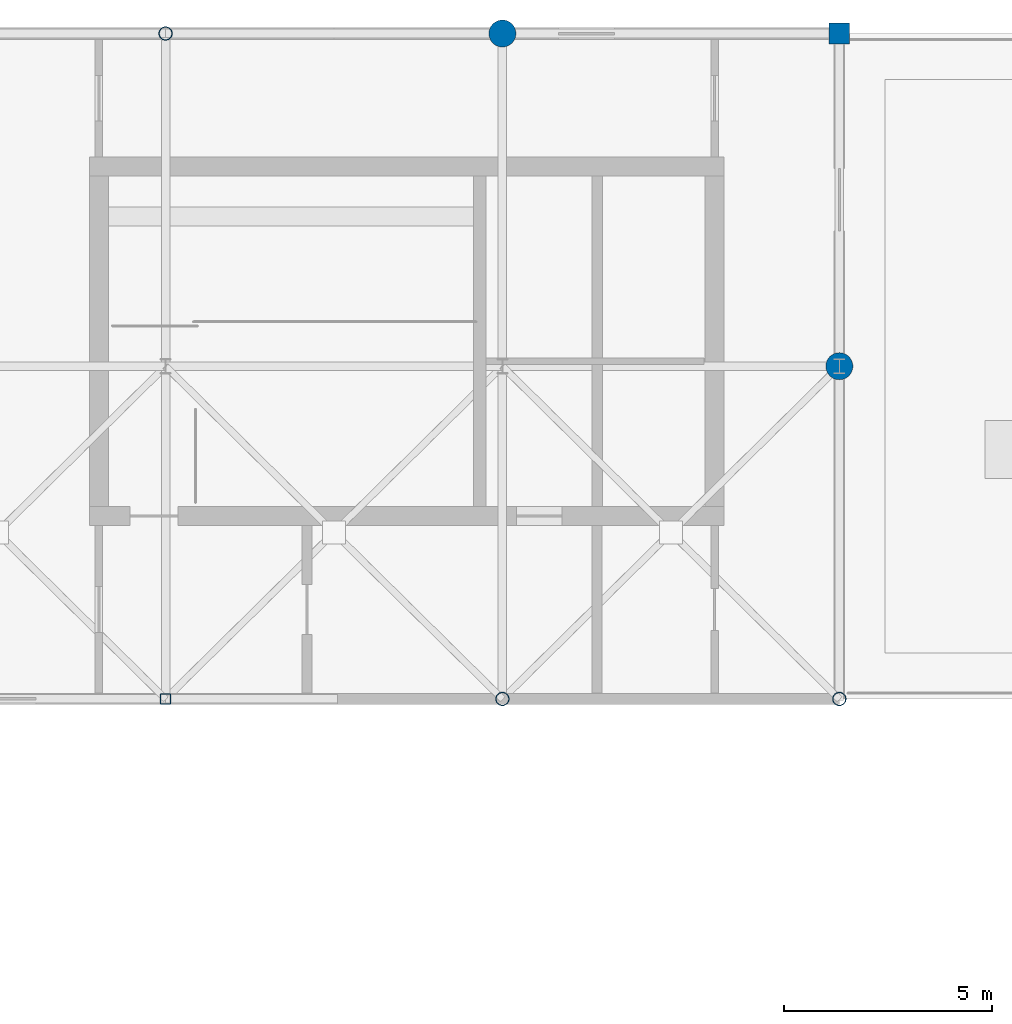
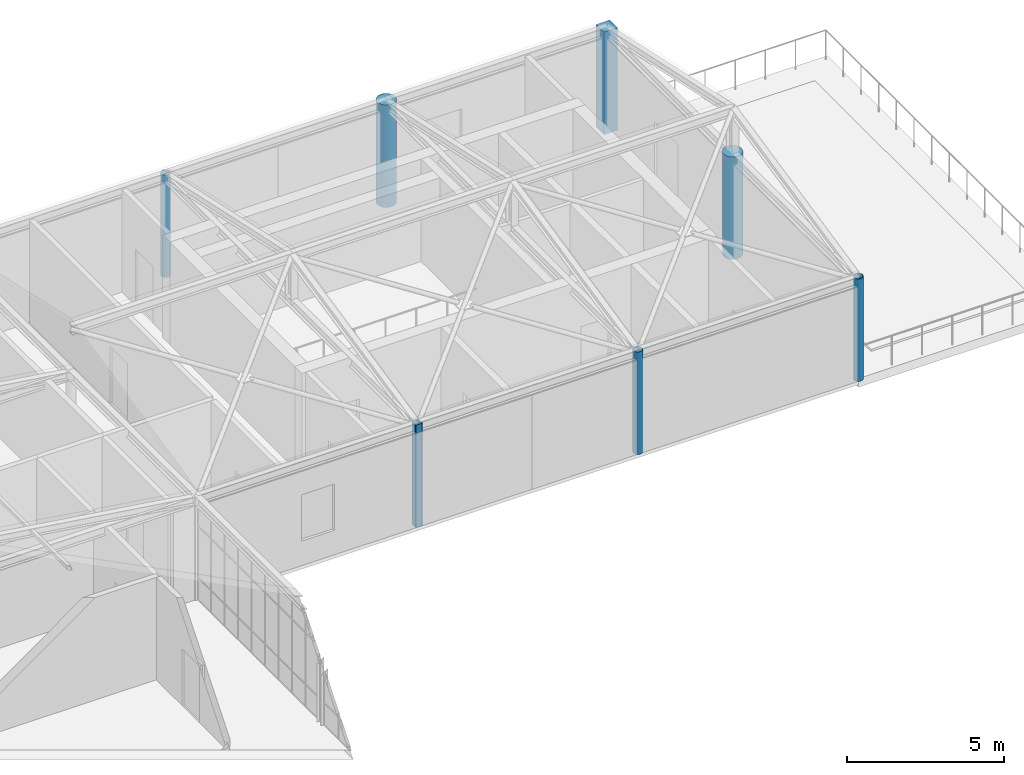
# One storey, part 3 of 21: 7 columns.
"""IFC4 building model written with IfcOpenShell, lengths in metres."""

from ifc_helpers import new_model, si_unit, direction, frame, origin, origin_2d, place, context, subcontext, project, spatial, rectangle, hollow_rectangle, circle, hollow_circle, extrude, material, material_profile, profile_set, type_object, element, save


model = new_model("IFC4")

# Units and contexts
model_context = context("Model", 3, precision=1e-05, world=origin(), true_north=direction((0.0, 1.0)))
body_context = subcontext(model_context, "Body", "Model", "MODEL_VIEW")
ifc_project = project(units=[si_unit("LENGTHUNIT", "METRE"), si_unit("AREAUNIT", "SQUARE_METRE"), si_unit("VOLUMEUNIT", "CUBIC_METRE"), si_unit("PLANEANGLEUNIT", "RADIAN"), si_unit("MASSUNIT", "GRAM", prefix="KILO")], contexts=[model_context])

# Site, building, storey
site_placement = place(None, origin())
site = spatial("IfcSite", under=ifc_project, at=site_placement, CompositionType="ELEMENT")
building_placement = place(site_placement, origin())
building = spatial("IfcBuilding", under=site, at=building_placement, Name="Tarnveldt Square Police Headquarters", CompositionType="ELEMENT")
storey_placement = place(building_placement, frame((0.0, 0.0, 33.300048828125)))
storey = spatial("IfcBuildingStorey", under=building, at=storey_placement, Name="L07", CompositionType="ELEMENT", Elevation=33.300048828125)

# Columns
ifc_material_1 = material(Name="Steel 350W", Category="steel")
ifc_material_profile_1 = material_profile(ifc_material_1, hollow_circle(Radius=0.161865234375, WallThickness=0.0126953125, at=origin_2d()), Name="HSS324x13")
ifc_profile_set_1 = profile_set([ifc_material_profile_1], Name="Steel 350W")
column_type_1 = type_object("IfcColumnType", Name="COL-CHS324x13", PredefinedType="COLUMN", material=ifc_profile_set_1)
for number, where, z_axis, x_axis, name in (
    (1, (48.60009765625, 112.0, 0.0), (0.0, 0.0, 1.0), (1.0, 0.0, 0.0), "L07 Column 080"),
    (2, (56.699951171875, 96.0, 0.0), (0.0, 0.0, 1.0), (1.0, 0.0, 0.0), "L07 Column 092"),
    (3, (64.800048828125, 96.0, 0.0), (0.0, 0.0, 1.0), (1.0, 0.0, 0.0), "L07 Column 104"),
):
    element("IfcColumn", number, at=place(storey_placement, frame(where, z_axis=z_axis, x_axis=x_axis)), inside=storey, type_object=column_type_1, Name=name, PredefinedType="COLUMN", context=body_context, shape_type="SweptSolid", body=[
        extrude(hollow_circle(Radius=0.161865234375, WallThickness=0.0126953125, at=origin_2d()), origin(), (0.0, 0.0, 1.0), 3.97998046875),
    ])
ifc_material_2 = material(Name="Concrete 40 MPa", Category="concrete")
ifc_material_profile_2 = material_profile(ifc_material_2, circle(Radius=0.324951171875, at=origin_2d()), Name="RC-D650")
ifc_profile_set_2 = profile_set([ifc_material_profile_2], Name="Concrete 40 MPa")
column_type_2 = type_object("IfcColumnType", Name="COL-D650", PredefinedType="COLUMN", material=ifc_profile_set_2)
for number, where, z_axis, x_axis, name in (
    (4, (56.699951171875, 112.0, 0.0), (0.0, 0.0, 1.0), (1.0, 0.0, 0.0), "L07 Column 093"),
    (5, (64.800048828125, 104.0, 0.0), (0.0, 0.0, 1.0), (1.0, 0.0, 0.0), "L07 Column 105"),
):
    element("IfcColumn", number, at=place(storey_placement, frame(where, z_axis=z_axis, x_axis=x_axis)), inside=storey, type_object=column_type_2, Name=name, PredefinedType="COLUMN", context=body_context, shape_type="SweptSolid", body=[
        extrude(circle(Radius=0.324951171875, at=origin_2d()), origin(), (0.0, 0.0, 1.0), 3.97998046875),
    ])
ifc_material_profile_3 = material_profile(ifc_material_1, hollow_rectangle(XDim=0.25390625, YDim=0.25390625, WallThickness=0.0126953125, InnerFilletRadius=0.0126953125, OuterFilletRadius=0.025390625, at=origin_2d()), Name="HSS254x254x13")
ifc_profile_set_3 = profile_set([ifc_material_profile_3], Name="Steel 350W")
column_type_3 = type_object("IfcColumnType", Name="COL-HSS254x13", PredefinedType="COLUMN", material=ifc_profile_set_3)
column_1_placement = place(storey_placement, frame((48.60009765625, 96.0, 0.0), z_axis=(0.0, 0.0, 1.0), x_axis=(1.0, 0.0, 0.0)))
element("IfcColumn", 6, at=column_1_placement, inside=storey, type_object=column_type_3, Name="L07 Column 079", PredefinedType="COLUMN", context=body_context, shape_type="SweptSolid", body=[
    extrude(hollow_rectangle(XDim=0.25390625, YDim=0.25390625, WallThickness=0.0126953125, InnerFilletRadius=0.0126953125, OuterFilletRadius=0.025390625, at=origin_2d()), origin(), (0.0, 0.0, 1.0), 3.97998046875),
])
ifc_material_profile_4 = material_profile(ifc_material_2, rectangle(XDim=0.5, YDim=0.5, at=origin_2d()), Name="RC-C500x500")
ifc_profile_set_4 = profile_set([ifc_material_profile_4], Name="Concrete 40 MPa")
column_type_4 = type_object("IfcColumnType", Name="COL-RC500", PredefinedType="COLUMN", material=ifc_profile_set_4)
column_2_placement = place(storey_placement, frame((64.800048828125, 112.0, 0.0), z_axis=(0.0, 0.0, 1.0), x_axis=(1.0, 0.0, 0.0)))
element("IfcColumn", 7, at=column_2_placement, inside=storey, type_object=column_type_4, Name="L07 Column 106", PredefinedType="COLUMN", context=body_context, shape_type="SweptSolid", body=[
    extrude(rectangle(XDim=0.5, YDim=0.5, at=origin_2d()), origin(), (0.0, 0.0, 1.0), 3.97998046875),
])

save(model, "model.ifc")
